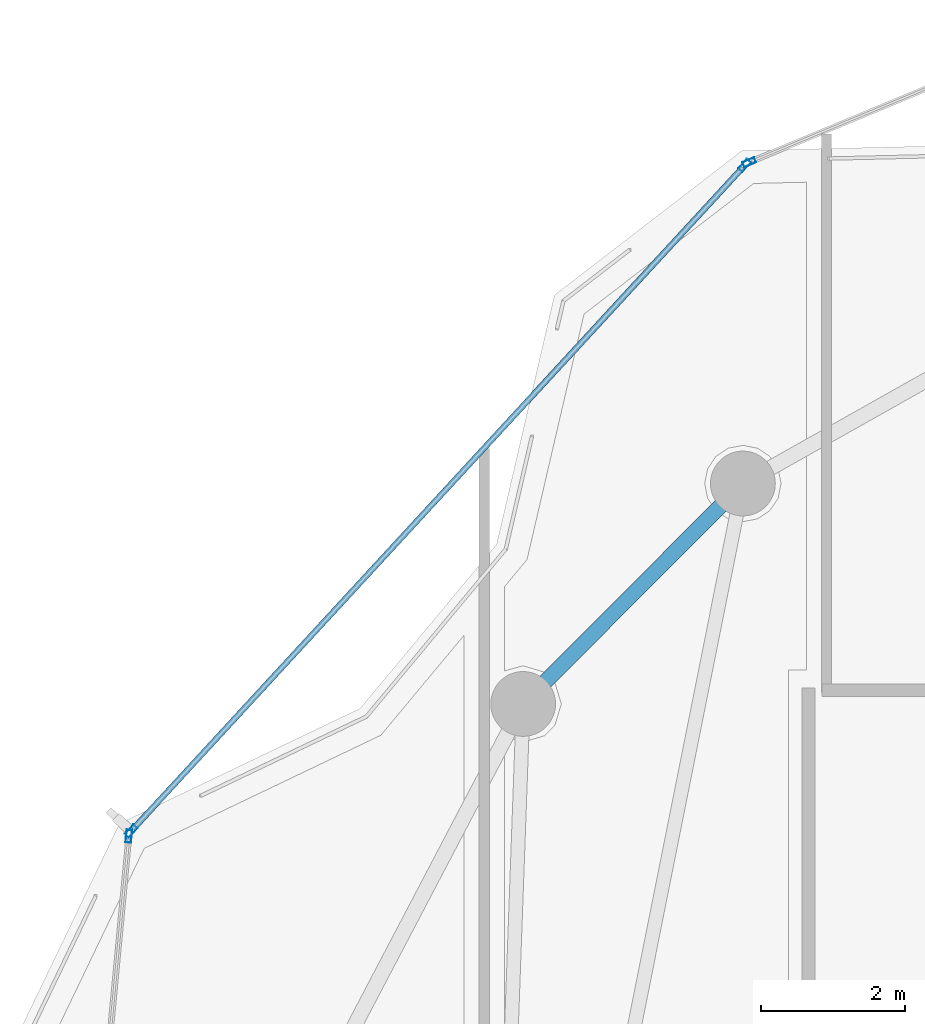
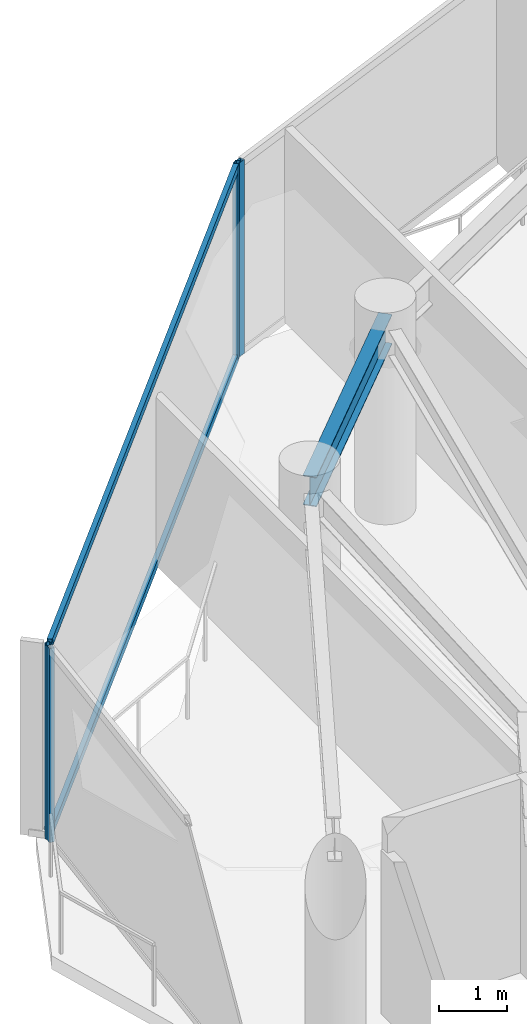
# One storey, part 13 of 22: 6 members, 1 beam, 3 elements without a shape of their own.
"""IFC4 building model written with IfcOpenShell, lengths in metres."""

from ifc_helpers import new_model, si_unit, direction, frame, origin, origin_2d, place, context, subcontext, project, spatial, hollow_rectangle, i_section, extrude, material, layer, layer_set, material_profile, profile_set, type_object, element, aggregate, save


model = new_model("IFC4")

# Units and contexts
model_context = context("Model", 3, precision=1e-05, world=origin(), true_north=direction((0.0, 1.0)))
body_context = subcontext(model_context, "Body", "Model", "MODEL_VIEW")
ifc_project = project(units=[si_unit("LENGTHUNIT", "METRE"), si_unit("AREAUNIT", "SQUARE_METRE"), si_unit("VOLUMEUNIT", "CUBIC_METRE"), si_unit("PLANEANGLEUNIT", "RADIAN"), si_unit("MASSUNIT", "GRAM", prefix="KILO")], contexts=[model_context])

# Site, building, storey
site_placement = place(None, origin())
site = spatial("IfcSite", under=ifc_project, at=site_placement, CompositionType="ELEMENT")
building_placement = place(site_placement, origin())
building = spatial("IfcBuilding", under=site, at=building_placement, Name="Kazevale Care Tower and Concert Hall", CompositionType="ELEMENT")
storey_placement = place(building_placement, frame((0.0, 0.0, 277.60009765625)))
storey = spatial("IfcBuildingStorey", under=building, at=storey_placement, Name="L73", CompositionType="ELEMENT", Elevation=277.60009765625)

# Curtain wall, member
ifc_material_1 = material(Name="Aluminium 6063-T6 and Low-E Glass", Category="aluminium")
ifc_layer = layer(ifc_material_1, 0.179931640625)
ifc_layer_set = layer_set([ifc_layer], Name="Aluminium 6063-T6 and Low-E Glass")
curtain_wall_type = type_object("IfcCurtainWallType", Name="Waist & Upper Residential Curtain Wall CW-4", PredefinedType="NOTDEFINED", material=ifc_layer_set)
curtain_wall_1_placement = place(storey_placement, origin())
curtain_wall_1 = element("IfcCurtainWall", 1, at=curtain_wall_1_placement, inside=storey, type_object=curtain_wall_type, Name="cw:L73:f09", PredefinedType="NOTDEFINED")
ifc_material_2 = material(Name="Aluminium 6063-T6", Category="aluminium")
ifc_material_profile_1 = material_profile(ifc_material_2, hollow_rectangle(XDim=0.080078125, YDim=0.179931640625, WallThickness=0.0048828125, at=origin_2d()), Name="ALU80x180x5")
ifc_profile_set_1 = profile_set([ifc_material_profile_1], Name="Aluminium 6063-T6")
member_type_1 = type_object("IfcMemberType", Name="CW-4 Mullion ALU80x180x5", PredefinedType="MULLION", material=ifc_profile_set_1)
member_1_placement = place(storey_placement, frame((17.066162109375, 49.47509765625, 0.0), z_axis=(0.0, 0.0, 1.0), x_axis=(-0.995549708489, 0.094237879477, 0.0)))
member_1 = element("IfcMember", 2, at=member_1_placement, type_object=member_type_1, Name="CW-4 mullion 2", PredefinedType="MULLION", context=body_context, shape_type="SweptSolid", body=[
    extrude(hollow_rectangle(XDim=0.080078125, YDim=0.179931640625, WallThickness=0.0048828125, at=origin_2d()), origin(), (0.0, 0.0, 1.0), 3.47998046875),
])
aggregate(curtain_wall_1, [member_1])

# Curtain wall, members
curtain_wall_2_placement = place(storey_placement, origin())
curtain_wall_2 = element("IfcCurtainWall", 3, at=curtain_wall_2_placement, inside=storey, type_object=curtain_wall_type, Name="cw:L73:f10", PredefinedType="NOTDEFINED")
member_2_placement = place(storey_placement, frame((17.09716796875, 49.54443359375, 0.0), z_axis=(0.0, 0.0, 1.0), x_axis=(-0.735303453484, 0.677738025563, 0.0)))
member_2 = element("IfcMember", 4, at=member_2_placement, type_object=member_type_1, Name="CW-4 mullion 1", PredefinedType="MULLION", context=body_context, shape_type="SweptSolid", body=[
    extrude(hollow_rectangle(XDim=0.080078125, YDim=0.179931640625, WallThickness=0.0048828125, at=origin_2d()), origin(), (0.0, 0.0, 1.0), 3.47998046875),
])
member_3_placement = place(storey_placement, frame((25.61376953125, 58.78466796875, 0.0), z_axis=(0.0, 0.0, 1.0), x_axis=(-0.735303453484, 0.677738025563, 0.0)))
member_3 = element("IfcMember", 5, at=member_3_placement, type_object=member_type_1, Name="CW-4 mullion 2", PredefinedType="MULLION", context=body_context, shape_type="SweptSolid", body=[
    extrude(hollow_rectangle(XDim=0.080078125, YDim=0.179931640625, WallThickness=0.0048828125, at=origin_2d()), origin(), (0.0, 0.0, 1.0), 3.47998046875),
])

# Curtain wall, member
curtain_wall_3_placement = place(storey_placement, origin())
curtain_wall_3 = element("IfcCurtainWall", 6, at=curtain_wall_3_placement, inside=storey, type_object=curtain_wall_type, Name="cw:L73:f11", PredefinedType="NOTDEFINED")
member_4_placement = place(storey_placement, frame((25.677978515625, 58.829345703125, 0.0), z_axis=(0.0, 0.0, 1.0), x_axis=(-0.384684013802, 0.923048324588, 0.0)))
member_4 = element("IfcMember", 7, at=member_4_placement, type_object=member_type_1, Name="CW-4 mullion 1", PredefinedType="MULLION", context=body_context, shape_type="SweptSolid", body=[
    extrude(hollow_rectangle(XDim=0.080078125, YDim=0.179931640625, WallThickness=0.0048828125, at=origin_2d()), origin(), (0.0, 0.0, 1.0), 3.47998046875),
])
aggregate(curtain_wall_3, [member_4])

# Member
ifc_material_profile_2 = material_profile(ifc_material_2, hollow_rectangle(XDim=0.080078125, YDim=0.139892578125, WallThickness=0.00390625, at=origin_2d()), Name="ALU80x140x4")
ifc_profile_set_2 = profile_set([ifc_material_profile_2], Name="Aluminium 6063-T6")
member_type_2 = type_object("IfcMemberType", Name="CW-4 Transom ALU80x140x4", PredefinedType="USERDEFINED", material=ifc_profile_set_2)
member_5_placement = place(storey_placement, frame((17.124267578125, 49.57373046875, 0.039794921875), z_axis=(0.677729318458, 0.735311478832, 0.0), x_axis=(-0.735311478832, 0.677729318458, 0.0)))
member_5 = element("IfcMember", 8, at=member_5_placement, type_object=member_type_2, Name="CW-4 transom 1.1", ObjectType="TRANSOM", PredefinedType="USERDEFINED", context=body_context, shape_type="SweptSolid", body=[
    extrude(hollow_rectangle(XDim=0.080078125, YDim=0.139892578125, WallThickness=0.00390625, at=origin_2d()), origin(), (0.0, 0.0, 1.0), 12.486328125),
])

member_6_placement = place(storey_placement, frame((17.124267578125, 49.57373046875, 3.43994140625), z_axis=(0.677729318458, 0.735311478832, 0.0), x_axis=(-0.735311478832, 0.677729318458, 0.0)))
member_6 = element("IfcMember", 9, at=member_6_placement, type_object=member_type_2, Name="CW-4 transom 1.2", ObjectType="TRANSOM", PredefinedType="USERDEFINED", context=body_context, shape_type="SweptSolid", body=[
    extrude(hollow_rectangle(XDim=0.080078125, YDim=0.139892578125, WallThickness=0.00390625, at=origin_2d()), origin(), (0.0, 0.0, 1.0), 12.486328125),
])

aggregate(curtain_wall_2, [member_2, member_3, member_5, member_6])

# Beam
ifc_material_3 = material(Name="Steel ASTM A572 Gr 50", Category="steel")
ifc_material_profile_3 = material_profile(ifc_material_3, i_section(OverallWidth=0.208984375, OverallDepth=0.532958984375, WebThickness=0.01025390625, FlangeThickness=0.015625, at=origin_2d()), Name="W530x92")
ifc_profile_set_3 = profile_set([ifc_material_profile_3], Name="Steel ASTM A572 Gr 50")
beam_type = type_object("IfcBeamType", Name="Upper Ring Beam W530x92", PredefinedType="BEAM", material=ifc_profile_set_3)
beam_placement = place(storey_placement, frame((25.590087890625, 54.3701171875, 3.21337890625), z_axis=(-0.705947429832, -0.708264234812, 0.0), x_axis=(0.708264234812, -0.705947429832, 0.0)))
element("IfcBeam", 10, at=beam_placement, inside=storey, type_object=beam_type, Name="beam:L73:ring:07", PredefinedType="BEAM", context=body_context, shape_type="SweptSolid", body=[
    extrude(i_section(OverallWidth=0.208984375, OverallDepth=0.532958984375, WebThickness=0.01025390625, FlangeThickness=0.015625, at=origin_2d()), origin(), (0.0, 0.0, 1.0), 4.320556640625),
])

save(model, "model.ifc")
